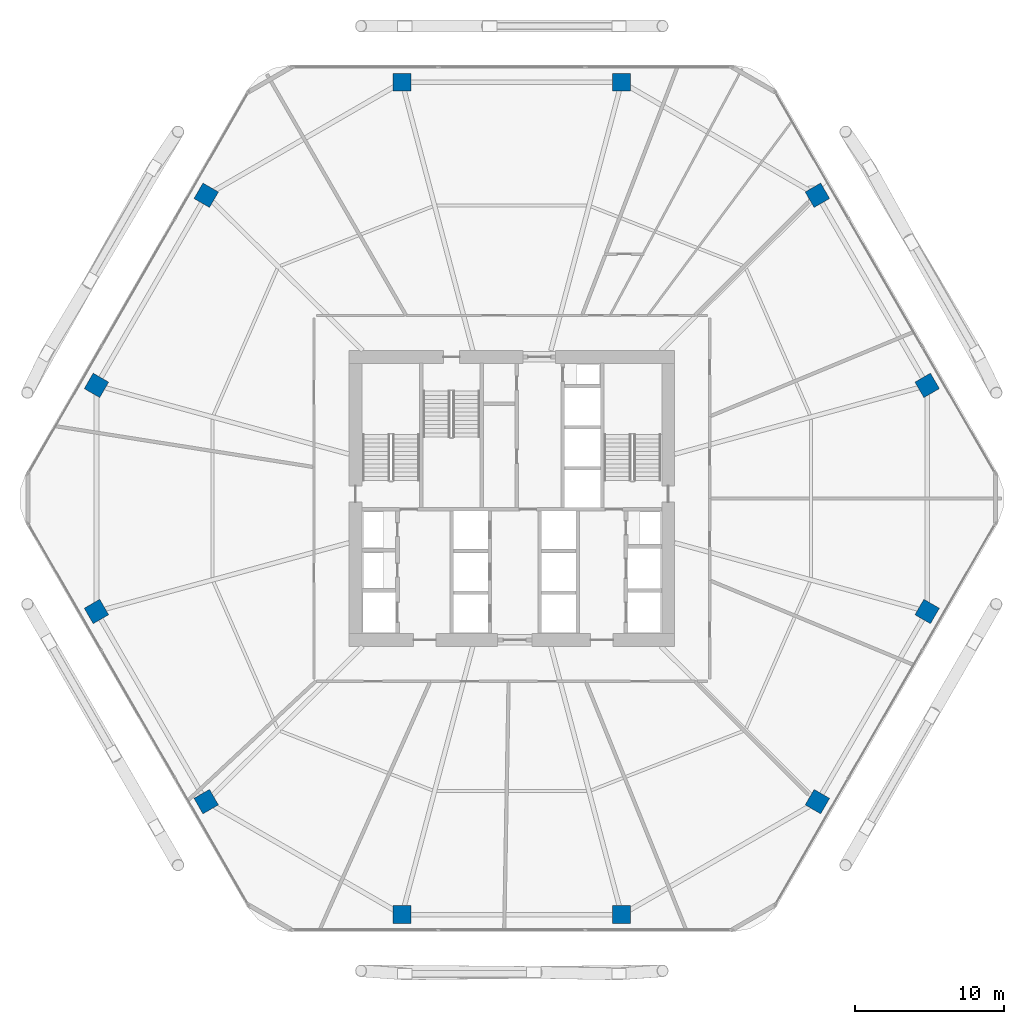
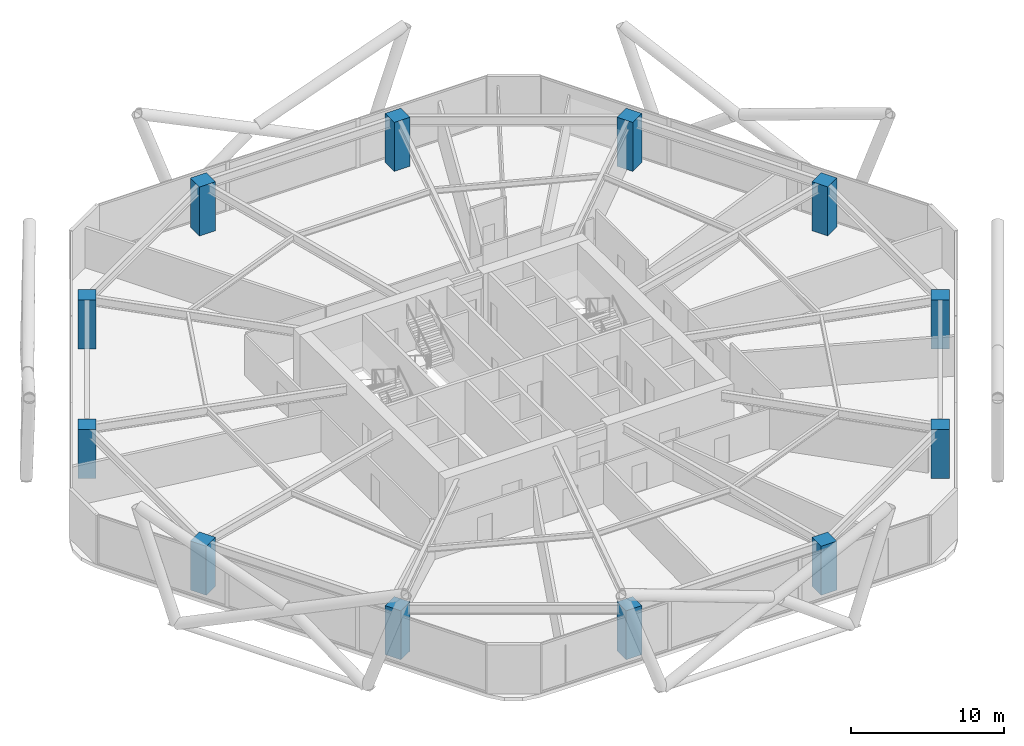
# One storey, part 1 of 28: 12 columns.
"""IFC4 building model written with IfcOpenShell, lengths in metres."""

from ifc_helpers import new_model, si_unit, direction, frame, origin, origin_2d, place, context, subcontext, project, spatial, rectangle, extrude, material, material_profile, profile_set, type_object, element, save


model = new_model("IFC4")

# Units and contexts
model_context = context("Model", 3, precision=1e-05, world=origin(), true_north=direction((0.0, 1.0)))
body_context = subcontext(model_context, "Body", "Model", "MODEL_VIEW")
ifc_project = project(units=[si_unit("LENGTHUNIT", "METRE"), si_unit("AREAUNIT", "SQUARE_METRE"), si_unit("VOLUMEUNIT", "CUBIC_METRE"), si_unit("PLANEANGLEUNIT", "RADIAN"), si_unit("MASSUNIT", "GRAM", prefix="KILO")], contexts=[model_context])

# Site, building, storey
site_placement = place(None, origin())
site = spatial("IfcSite", under=ifc_project, at=site_placement, CompositionType="ELEMENT")
building_placement = place(site_placement, origin())
building = spatial("IfcBuilding", under=site, at=building_placement, Name="Zuhravey Tower", CompositionType="ELEMENT")
storey_placement = place(building_placement, frame((0.0, 0.0, 66.60009765625)))
storey = spatial("IfcBuildingStorey", under=building, at=storey_placement, Name="L16", CompositionType="ELEMENT", Elevation=66.60009765625)

# Columns
ifc_material = material(Name="Concrete C60/75", Category="concrete")
ifc_material_profile = material_profile(ifc_material, rectangle(XDim=1.199951171875, YDim=1.199951171875, at=origin_2d()), Name="RC-1200x1200")
ifc_profile_set = profile_set([ifc_material_profile], Name="Concrete C60/75")
column_type = type_object("IfcColumnType", Name="Zone 1 Perimeter Column 1200x1200", PredefinedType="COLUMN", material=ifc_profile_set)
for number, where, z_axis, x_axis, name in (
    (1, (63.88916015625, 39.591552734375, 0.0), (0.0, 0.0, 1.0), (-0.5, 0.866025403784, 0.0), "L16 Perimeter Column PC01"),
    (2, (56.51904296875, 52.35693359375, 0.0), (0.0, 0.0, 1.0), (-0.5, 0.866025403784, 0.0), "L16 Perimeter Column PC02"),
    (3, (43.3701171875, 59.948486328125, 0.0), (0.0, 0.0, 1.0), (-1.0, 0.0, 0.0), "L16 Perimeter Column PC03"),
    (4, (28.6298828125, 59.948486328125, 0.0), (0.0, 0.0, 1.0), (-1.0, 0.0, 0.0), "L16 Perimeter Column PC04"),
    (5, (15.48095703125, 52.35693359375, 0.0), (0.0, 0.0, 1.0), (-0.5, -0.866025403784, 0.0), "L16 Perimeter Column PC05"),
    (6, (8.11083984375, 39.591552734375, 0.0), (0.0, 0.0, 1.0), (-0.5, -0.866025403784, 0.0), "L16 Perimeter Column PC06"),
    (7, (8.11083984375, 24.408447265625, 0.0), (0.0, 0.0, 1.0), (0.5, -0.866025403784, 0.0), "L16 Perimeter Column PC07"),
    (8, (15.48095703125, 11.64306640625, 0.0), (0.0, 0.0, 1.0), (0.5, -0.866025403784, 0.0), "L16 Perimeter Column PC08"),
    (9, (28.6298828125, 4.051513671875, 0.0), (0.0, 0.0, 1.0), (1.0, 0.0, 0.0), "L16 Perimeter Column PC09"),
    (10, (43.3701171875, 4.051513671875, 0.0), (0.0, 0.0, 1.0), (1.0, 0.0, 0.0), "L16 Perimeter Column PC10"),
    (11, (56.51904296875, 11.64306640625, 0.0), (0.0, 0.0, 1.0), (0.5, 0.866025403784, 0.0), "L16 Perimeter Column PC11"),
    (12, (63.88916015625, 24.408447265625, 0.0), (0.0, 0.0, 1.0), (0.5, 0.866025403784, 0.0), "L16 Perimeter Column PC12"),
):
    element("IfcColumn", number, at=place(storey_placement, frame(where, z_axis=z_axis, x_axis=x_axis)), inside=storey, type_object=column_type, Name=name, PredefinedType="COLUMN", context=body_context, shape_type="SweptSolid", body=[
        extrude(rectangle(XDim=1.199951171875, YDim=1.199951171875, at=origin_2d()), origin(), (0.0, 0.0, 1.0), 3.919921875),
    ])

save(model, "model.ifc")
